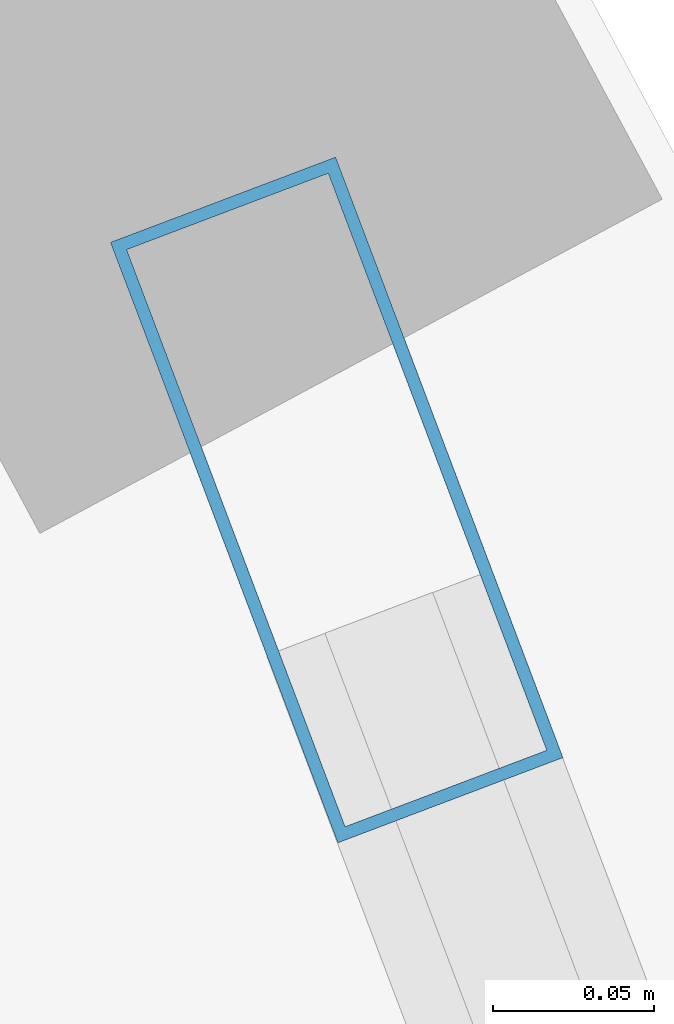
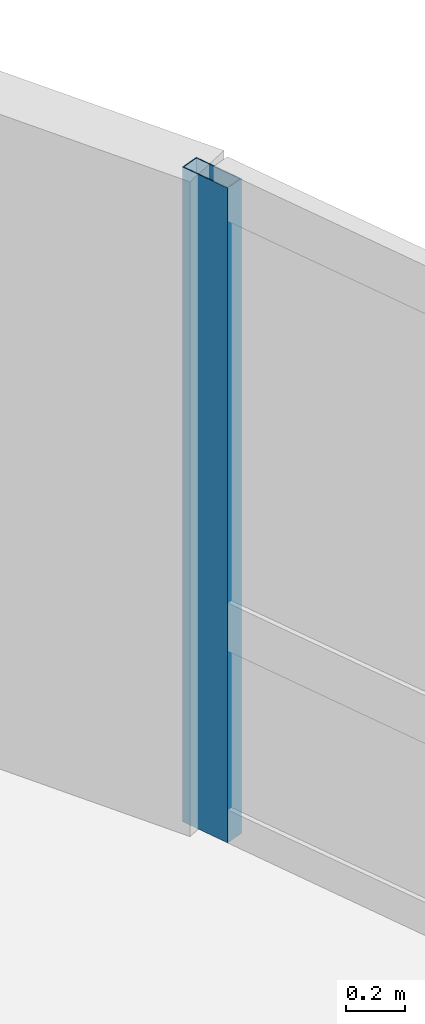
# One storey, part 12 of 24: 1 member, 1 element without a shape of its own.
"""IFC4 building model written with IfcOpenShell, lengths in metres."""

from ifc_helpers import new_model, si_unit, direction, frame, origin, origin_2d, place, context, subcontext, project, spatial, hollow_rectangle, extrude, material, layer, layer_set, material_profile, profile_set, type_object, element, aggregate, save


model = new_model("IFC4")

# Units and contexts
model_context = context("Model", 3, precision=1e-05, world=origin(), true_north=direction((0.0, 1.0)))
body_context = subcontext(model_context, "Body", "Model", "MODEL_VIEW")
ifc_project = project(units=[si_unit("LENGTHUNIT", "METRE"), si_unit("AREAUNIT", "SQUARE_METRE"), si_unit("VOLUMEUNIT", "CUBIC_METRE"), si_unit("PLANEANGLEUNIT", "RADIAN"), si_unit("MASSUNIT", "GRAM", prefix="KILO")], contexts=[model_context])

# Site, building, storey
site_placement = place(None, origin())
site = spatial("IfcSite", under=ifc_project, at=site_placement, CompositionType="ELEMENT")
building_placement = place(site_placement, origin())
building = spatial("IfcBuilding", under=site, at=building_placement, Name="Varnelok Gate Tower", CompositionType="ELEMENT")
storey_placement = place(building_placement, frame((0.0, 0.0, 212.699951171875)))
storey = spatial("IfcBuildingStorey", under=building, at=storey_placement, Name="L54", CompositionType="ELEMENT", Elevation=212.699951171875)

# Curtain wall, member
ifc_material = material(Name="Anodized Aluminum Alloy 6063-T6", Category="aluminium")
ifc_layer = layer(ifc_material, 0.179931640625)
ifc_layer_set = layer_set([ifc_layer], Name="Anodized Aluminum Alloy 6063-T6")
curtain_wall_type = type_object("IfcCurtainWallType", Name="CW4-RESIDENCE-VISION", PredefinedType="USERDEFINED", material=ifc_layer_set)
curtain_wall_placement = place(storey_placement, origin())
curtain_wall = element("IfcCurtainWall", 1, at=curtain_wall_placement, inside=storey, type_object=curtain_wall_type, Name="L54 East End Vision Curtain Wall", ObjectType="UNITISED CURTAIN WALL", PredefinedType="USERDEFINED")
ifc_material_profile = material_profile(ifc_material, hollow_rectangle(XDim=0.074951171875, YDim=0.199951171875, WallThickness=0.00390625, at=origin_2d()), Name="ALU200X75X4")
ifc_profile_set = profile_set([ifc_material_profile], Name="Anodized Aluminum Alloy 6063-T6")
member_type = type_object("IfcMemberType", Name="CW-MULL-200", PredefinedType="MULLION", material=ifc_profile_set)
member_placement = place(storey_placement, frame((64.514892578125, 51.5244140625, 0.0), z_axis=(0.0, 0.0, 1.0), x_axis=(0.935221557832, 0.354063042079, 0.0)))
member = element("IfcMember", 2, at=member_placement, type_object=member_type, Name="CW4 mullion 1", PredefinedType="MULLION", context=body_context, shape_type="SweptSolid", body=[
    extrude(hollow_rectangle(XDim=0.074951171875, YDim=0.199951171875, WallThickness=0.00390625, at=origin_2d()), origin(), (0.0, 0.0, 1.0), 2.72998046875),
])
aggregate(curtain_wall, [member])

save(model, "model.ifc")
